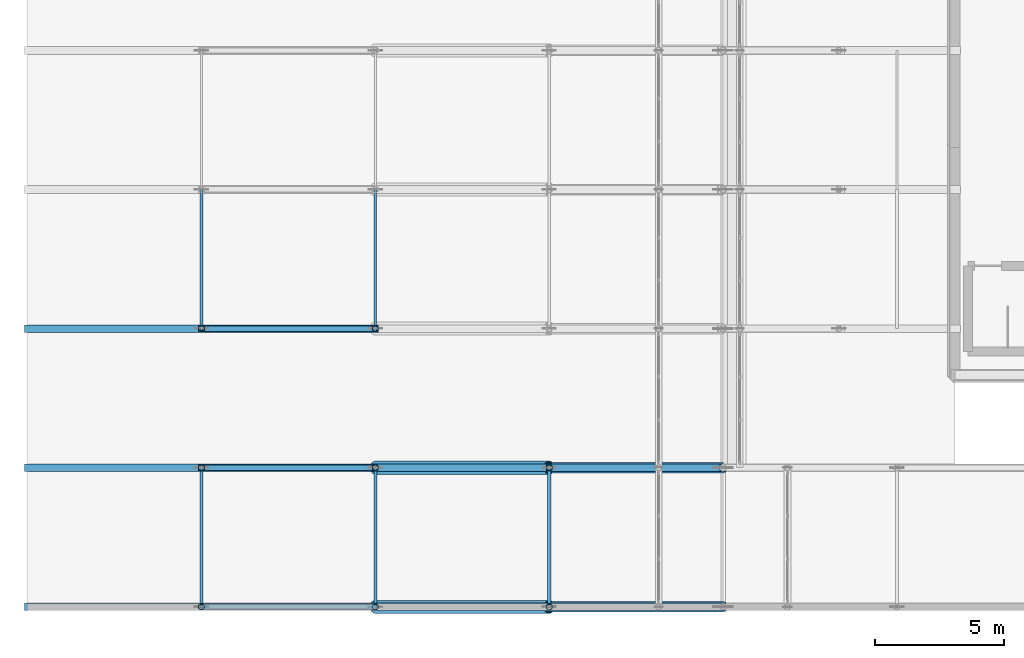
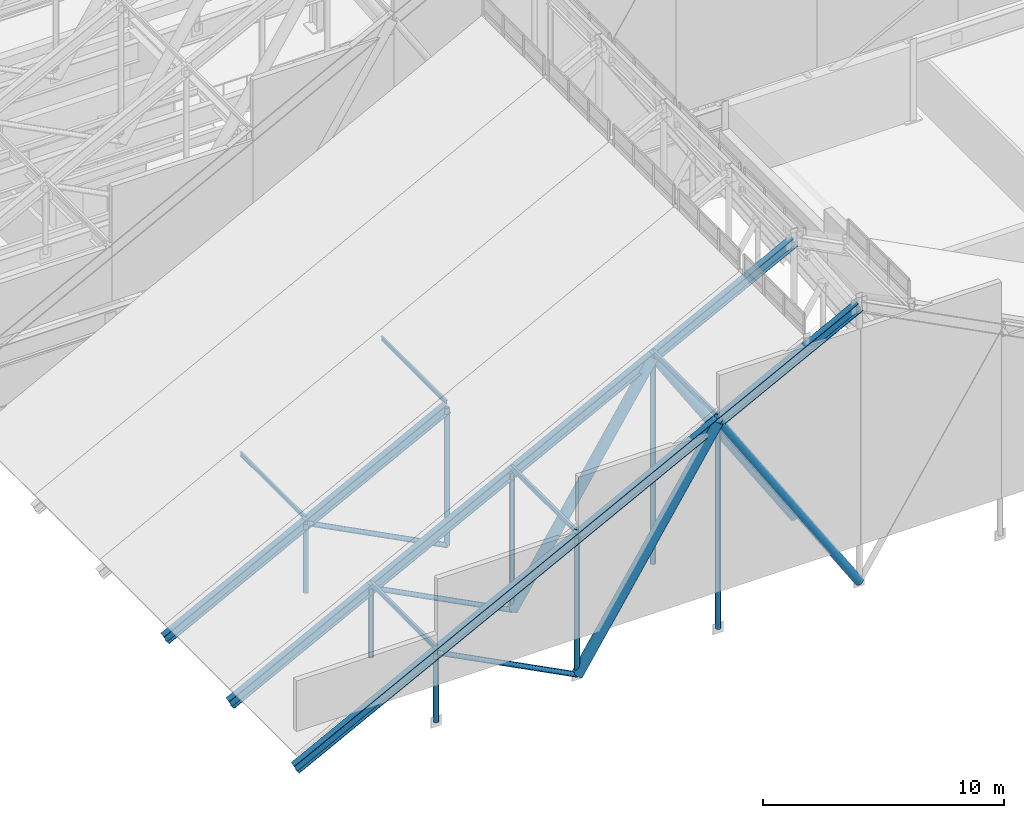
# One storey, part 5 of 84: 30 members.
"""IFC4 building model written with IfcOpenShell, lengths in metres."""

from ifc_helpers import new_model, si_unit, direction, frame, origin, origin_2d, place, context, subcontext, project, spatial, hollow_circle, i_section, extrude, material, material_profile, profile_set, type_object, element, save


model = new_model("IFC4")

# Units and contexts
model_context = context("Model", 3, precision=1e-05, world=origin(), true_north=direction((0.0, 1.0)))
body_context = subcontext(model_context, "Body", "Model", "MODEL_VIEW")
ifc_project = project(units=[si_unit("LENGTHUNIT", "METRE"), si_unit("AREAUNIT", "SQUARE_METRE"), si_unit("VOLUMEUNIT", "CUBIC_METRE"), si_unit("PLANEANGLEUNIT", "RADIAN"), si_unit("MASSUNIT", "GRAM", prefix="KILO")], contexts=[model_context])

# Site, building, storey
site_placement = place(None, origin())
site = spatial("IfcSite", under=ifc_project, at=site_placement, CompositionType="ELEMENT")
building_placement = place(site_placement, origin())
building = spatial("IfcBuilding", under=site, at=building_placement, Name="Sundgate Opera House", CompositionType="ELEMENT")
storey_placement = place(building_placement, frame((0.0, 0.0, 30.60009765625)))
storey = spatial("IfcBuildingStorey", under=building, at=storey_placement, Name="L06", CompositionType="ELEMENT", Elevation=30.60009765625)

# Members
ifc_material_1 = material(Name="Steel S355J2", Category="steel")
ifc_material_profile_1 = material_profile(ifc_material_1, hollow_circle(Radius=0.122314453125, WallThickness=0.012451171875, at=origin_2d()), Name="CHS 244.5x12.5")
ifc_profile_set_1 = profile_set([ifc_material_profile_1], Name="Steel S355J2")
member_type_1 = type_object("IfcMemberType", Name="MB-BRC-CHS244", PredefinedType="BRACE", material=ifc_profile_set_1)
for number, where, z_axis, x_axis, name in (
    (1, (40.5, 33.0, -0.760009765625), (-0.88829222652, 0.0, 0.459278695678), (0.0, -1.0, 0.0), "L06 Auditorium Warren Web Diagonal M0035"),
    (2, (40.5, 38.39990234375, -0.760009765625), (-0.88829222652, 0.0, 0.459278695678), (0.0, -1.0, 0.0), "L06 Auditorium Warren Web Diagonal M0056"),
    (3, (40.5, 43.800048828125, -0.760009765625), (-0.88829222652, 0.0, 0.459278695678), (0.0, -1.0, 0.0), "L06 Auditorium Warren Web Diagonal M0077"),
):
    element("IfcMember", number, at=place(storey_placement, frame(where, z_axis=z_axis, x_axis=x_axis)), inside=storey, type_object=member_type_1, Name=name, PredefinedType="BRACE", context=body_context, shape_type="SweptSolid", body=[
        extrude(hollow_circle(Radius=0.122314453125, WallThickness=0.012451171875, at=origin_2d()), origin(), (0.0, 0.0, 1.0), 7.598876953125),
    ])
ifc_material_2 = material(Name="Steel S355J2", Category="steel")
ifc_material_profile_2 = material_profile(ifc_material_2, i_section(OverallWidth=0.300048828125, OverallDepth=0.5, WebThickness=0.014404296875, FlangeThickness=0.028076171875, at=origin_2d()), Name="HEB 500")
ifc_profile_set_2 = profile_set([ifc_material_profile_2], Name="Steel S355J2")
member_type_2 = type_object("IfcMemberType", Name="MB-CHORD-HEB500", PredefinedType="CHORD", material=ifc_profile_set_2)
for number, where, z_axis, x_axis, name in (
    (4, (27.0, 33.0, -0.760009765625), (0.88829222652, 0.0, 0.459278695678), (0.0, 1.0, 0.0), "L06 Auditorium Truss Top Chord M0033"),
    (5, (33.75, 33.0, 2.72998046875), (0.88829222652, 0.0, 0.459278695678), (0.0, 1.0, 0.0), "L06 Auditorium Truss Top Chord M0034"),
    (6, (40.5, 33.0, 6.219970703125), (0.88829222652, 0.0, 0.459278695678), (0.0, 1.0, 0.0), "L06 Auditorium Truss Top Chord M0036"),
    (7, (47.25, 33.0, 9.7099609375), (0.88829222652, 0.0, 0.459278695678), (0.0, 1.0, 0.0), "L06 Auditorium Truss Top Chord M0038"),
    (8, (27.0, 38.39990234375, -0.760009765625), (0.88829222652, 0.0, 0.459278695678), (0.0, 1.0, 0.0), "L06 Auditorium Truss Top Chord M0054"),
    (9, (33.75, 38.39990234375, 2.72998046875), (0.88829222652, 0.0, 0.459278695678), (0.0, 1.0, 0.0), "L06 Auditorium Truss Top Chord M0055"),
    (10, (40.5, 38.39990234375, 6.219970703125), (0.88829222652, 0.0, 0.459278695678), (0.0, 1.0, 0.0), "L06 Auditorium Truss Top Chord M0057"),
    (11, (47.25, 38.39990234375, 9.7099609375), (0.88829222652, 0.0, 0.459278695678), (0.0, 1.0, 0.0), "L06 Auditorium Truss Top Chord M0059"),
    (12, (27.0, 43.800048828125, -0.760009765625), (0.88829222652, 0.0, 0.459278695678), (0.0, 1.0, 0.0), "L06 Auditorium Truss Top Chord M0075"),
    (13, (33.75, 43.800048828125, 2.72998046875), (0.88829222652, 0.0, 0.459278695678), (0.0, 1.0, 0.0), "L06 Auditorium Truss Top Chord M0076"),
):
    element("IfcMember", number, at=place(storey_placement, frame(where, z_axis=z_axis, x_axis=x_axis)), inside=storey, type_object=member_type_2, Name=name, PredefinedType="CHORD", context=body_context, shape_type="SweptSolid", body=[
        extrude(i_section(OverallWidth=0.300048828125, OverallDepth=0.5, WebThickness=0.014404296875, FlangeThickness=0.028076171875, at=origin_2d()), origin(), (0.0, 0.0, 1.0), 7.598876953125),
    ])
ifc_material_3 = material(Name="Steel S355J2", Category="steel")
ifc_material_profile_3 = material_profile(ifc_material_3, i_section(OverallWidth=0.10009765625, OverallDepth=0.199951171875, WebThickness=0.005615234375, FlangeThickness=0.008544921875, at=origin_2d()), Name="IPE 200")
ifc_profile_set_3 = profile_set([ifc_material_profile_3], Name="Steel S355J2")
member_type_3 = type_object("IfcMemberType", Name="MB-PUR-IPE200", PredefinedType="PURLIN", material=ifc_profile_set_3)
for number, where, z_axis, x_axis, name in (
    (14, (33.75, 43.800048828125, 2.974853515625), (0.0, 1.0, 0.0), (-1.0, 0.0, 0.0), "V1 Roof Purlin M0238"),
    (15, (40.5, 43.800048828125, 6.46484375), (0.0, 1.0, 0.0), (-1.0, 0.0, 0.0), "V1 Roof Purlin M0239"),
):
    element("IfcMember", number, at=place(storey_placement, frame(where, z_axis=z_axis, x_axis=x_axis)), inside=storey, type_object=member_type_3, Name=name, PredefinedType="PURLIN", context=body_context, shape_type="SweptSolid", body=[
        extrude(i_section(OverallWidth=0.10009765625, OverallDepth=0.199951171875, WebThickness=0.005615234375, FlangeThickness=0.008544921875, at=origin_2d()), origin(), (0.0, 0.0, 1.0), 5.39990234375),
    ])
ifc_material_4 = material(Name="Steel S355J2", Category="steel")
ifc_material_profile_4 = material_profile(ifc_material_4, i_section(OverallWidth=0.1201171875, OverallDepth=0.239990234375, WebThickness=0.006103515625, FlangeThickness=0.009765625, at=origin_2d()), Name="IPE 240")
ifc_profile_set_4 = profile_set([ifc_material_profile_4], Name="Steel S355J2")
member_type_4 = type_object("IfcMemberType", Name="MB-PUR-IPE240", PredefinedType="PURLIN", material=ifc_profile_set_4)
for number, where, z_axis, x_axis, name in (
    (16, (33.75, 33.0, 2.974853515625), (0.0, 1.0, 0.0), (-1.0, 0.0, 0.0), "V1 Roof Purlin M0232"),
    (17, (40.5, 33.0, 6.46484375), (0.0, 1.0, 0.0), (-1.0, 0.0, 0.0), "V1 Roof Purlin M0233"),
    (18, (47.25, 33.0, 9.954833984375), (0.0, 1.0, 0.0), (-1.0, 0.0, 0.0), "V1 Roof Purlin M0234"),
):
    element("IfcMember", number, at=place(storey_placement, frame(where, z_axis=z_axis, x_axis=x_axis)), inside=storey, type_object=member_type_4, Name=name, PredefinedType="PURLIN", context=body_context, shape_type="SweptSolid", body=[
        extrude(i_section(OverallWidth=0.1201171875, OverallDepth=0.239990234375, WebThickness=0.006103515625, FlangeThickness=0.009765625, at=origin_2d()), origin(), (0.0, 0.0, 1.0), 5.39990234375),
    ])
ifc_material_5 = material(Name="Steel S355J2", Category="steel")
ifc_material_profile_5 = material_profile(ifc_material_5, hollow_circle(Radius=0.122314453125, WallThickness=0.012451171875, at=origin_2d()), Name="CHS 244.5x12.5")
ifc_profile_set_5 = profile_set([ifc_material_profile_5], Name="Steel S355J2")
member_type_5 = type_object("IfcMemberType", Name="MB-STRUT-CHS244", PredefinedType="STRUT", material=ifc_profile_set_5)
member_1_placement = place(storey_placement, frame((33.75, 33.0, -0.760009765625), z_axis=(0.0, 0.0, 1.0), x_axis=(1.0, 0.0, 0.0)))
element("IfcMember", 19, at=member_1_placement, inside=storey, type_object=member_type_5, Name="L06 Auditorium Truss Vertical Post M0047", PredefinedType="STRUT", context=body_context, shape_type="SweptSolid", body=[
    extrude(hollow_circle(Radius=0.122314453125, WallThickness=0.012451171875, at=origin_2d()), origin(), (0.0, 0.0, 1.0), 3.489990234375),
])
member_2_placement = place(storey_placement, frame((40.5, 33.0, -0.760009765625), z_axis=(0.0, 0.0, 1.0), x_axis=(1.0, 0.0, 0.0)))
element("IfcMember", 20, at=member_2_placement, inside=storey, type_object=member_type_5, Name="L06 Auditorium Truss Vertical Post M0048", PredefinedType="STRUT", context=body_context, shape_type="SweptSolid", body=[
    extrude(hollow_circle(Radius=0.122314453125, WallThickness=0.012451171875, at=origin_2d()), origin(), (0.0, 0.0, 1.0), 6.97998046875),
])
member_3_placement = place(storey_placement, frame((47.25, 33.0, -0.760009765625), z_axis=(0.0, 0.0, 1.0), x_axis=(1.0, 0.0, 0.0)))
element("IfcMember", 21, at=member_3_placement, inside=storey, type_object=member_type_5, Name="L06 Auditorium Truss Vertical Post M0049", PredefinedType="STRUT", context=body_context, shape_type="SweptSolid", body=[
    extrude(hollow_circle(Radius=0.122314453125, WallThickness=0.012451171875, at=origin_2d()), origin(), (0.0, 0.0, 1.0), 10.469970703125),
])
member_4_placement = place(storey_placement, frame((33.75, 38.39990234375, -0.760009765625), z_axis=(0.0, 0.0, 1.0), x_axis=(1.0, 0.0, 0.0)))
element("IfcMember", 22, at=member_4_placement, inside=storey, type_object=member_type_5, Name="L06 Auditorium Truss Vertical Post M0068", PredefinedType="STRUT", context=body_context, shape_type="SweptSolid", body=[
    extrude(hollow_circle(Radius=0.122314453125, WallThickness=0.012451171875, at=origin_2d()), origin(), (0.0, 0.0, 1.0), 3.489990234375),
])
member_5_placement = place(storey_placement, frame((40.5, 38.39990234375, -0.760009765625), z_axis=(0.0, 0.0, 1.0), x_axis=(1.0, 0.0, 0.0)))
element("IfcMember", 23, at=member_5_placement, inside=storey, type_object=member_type_5, Name="L06 Auditorium Truss Vertical Post M0069", PredefinedType="STRUT", context=body_context, shape_type="SweptSolid", body=[
    extrude(hollow_circle(Radius=0.122314453125, WallThickness=0.012451171875, at=origin_2d()), origin(), (0.0, 0.0, 1.0), 6.97998046875),
])
member_6_placement = place(storey_placement, frame((47.25, 38.39990234375, -0.760009765625), z_axis=(0.0, 0.0, 1.0), x_axis=(1.0, 0.0, 0.0)))
element("IfcMember", 24, at=member_6_placement, inside=storey, type_object=member_type_5, Name="L06 Auditorium Truss Vertical Post M0070", PredefinedType="STRUT", context=body_context, shape_type="SweptSolid", body=[
    extrude(hollow_circle(Radius=0.122314453125, WallThickness=0.012451171875, at=origin_2d()), origin(), (0.0, 0.0, 1.0), 10.469970703125),
])
member_7_placement = place(storey_placement, frame((33.75, 43.800048828125, -0.760009765625), z_axis=(0.0, 0.0, 1.0), x_axis=(1.0, 0.0, 0.0)))
element("IfcMember", 25, at=member_7_placement, inside=storey, type_object=member_type_5, Name="L06 Auditorium Truss Vertical Post M0085", PredefinedType="STRUT", context=body_context, shape_type="SweptSolid", body=[
    extrude(hollow_circle(Radius=0.122314453125, WallThickness=0.012451171875, at=origin_2d()), origin(), (0.0, 0.0, 1.0), 3.489990234375),
])
member_8_placement = place(storey_placement, frame((40.5, 43.800048828125, -0.760009765625), z_axis=(0.0, 0.0, 1.0), x_axis=(1.0, 0.0, 0.0)))
element("IfcMember", 26, at=member_8_placement, inside=storey, type_object=member_type_5, Name="L06 Auditorium Truss Vertical Post M0086", PredefinedType="STRUT", context=body_context, shape_type="SweptSolid", body=[
    extrude(hollow_circle(Radius=0.122314453125, WallThickness=0.012451171875, at=origin_2d()), origin(), (0.0, 0.0, 1.0), 6.97998046875),
])
ifc_material_6 = material(Name="Steel S355ML", Category="steel")
ifc_material_profile_6 = material_profile(ifc_material_6, hollow_circle(Radius=0.203125, WallThickness=0.02001953125, at=origin_2d()), Name="CHS 406.4x20.0")
ifc_profile_set_6 = profile_set([ifc_material_profile_6], Name="Steel S355ML")
member_type_6 = type_object("IfcMemberType", Name="MB-STRUT-CHS406", PredefinedType="STRUT", material=ifc_profile_set_6)
for number, where, z_axis, x_axis, name in (
    (27, (54.0, 33.0, -0.760009765625), (-0.541853645841, 0.0, 0.840472858865), (0.0, -1.0, 0.0), "L06 Auditorium Warren Web Diagonal M0039"),
    (28, (54.0, 38.39990234375, -0.760009765625), (-0.541853645841, 0.0, 0.840472858865), (0.0, -1.0, 0.0), "L06 Auditorium Warren Web Diagonal M0060"),
):
    element("IfcMember", number, at=place(storey_placement, frame(where, z_axis=z_axis, x_axis=x_axis)), inside=storey, type_object=member_type_6, Name=name, PredefinedType="STRUT", context=body_context, shape_type="SweptSolid", body=[
        extrude(hollow_circle(Radius=0.203125, WallThickness=0.02001953125, at=origin_2d()), origin(), (0.0, 0.0, 1.0), 12.457275390625),
    ])
ifc_material_7 = material(Name="Steel S355ML", Category="steel")
ifc_material_profile_7 = material_profile(ifc_material_7, hollow_circle(Radius=0.25390625, WallThickness=0.02490234375, at=origin_2d()), Name="CHS 508x25.0")
ifc_profile_set_7 = profile_set([ifc_material_profile_7], Name="Steel S355ML")
member_type_7 = type_object("IfcMemberType", Name="MB-STRUT-CHS508", PredefinedType="STRUT", material=ifc_profile_set_7)
for number, where, z_axis, x_axis, name in (
    (29, (40.5, 33.0, -0.760009765625), (0.541853645841, 0.0, 0.840472858865), (0.0, 1.0, 0.0), "L06 Auditorium Warren Web Strut M0037"),
    (30, (40.5, 38.39990234375, -0.760009765625), (0.541853645841, 0.0, 0.840472858865), (0.0, 1.0, 0.0), "L06 Auditorium Warren Web Strut M0058"),
):
    element("IfcMember", number, at=place(storey_placement, frame(where, z_axis=z_axis, x_axis=x_axis)), inside=storey, type_object=member_type_7, Name=name, PredefinedType="STRUT", context=body_context, shape_type="SweptSolid", body=[
        extrude(hollow_circle(Radius=0.25390625, WallThickness=0.02490234375, at=origin_2d()), origin(), (0.0, 0.0, 1.0), 12.457275390625),
    ])

save(model, "model.ifc")
